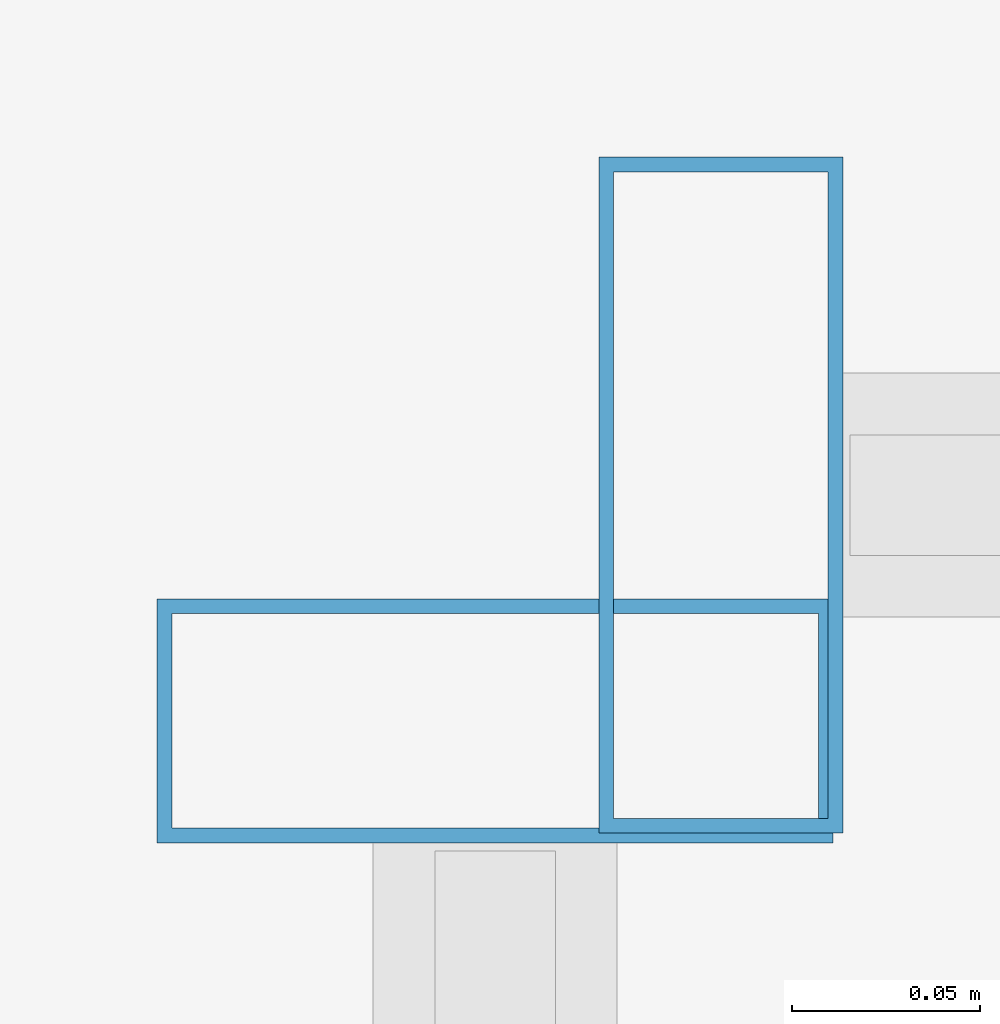
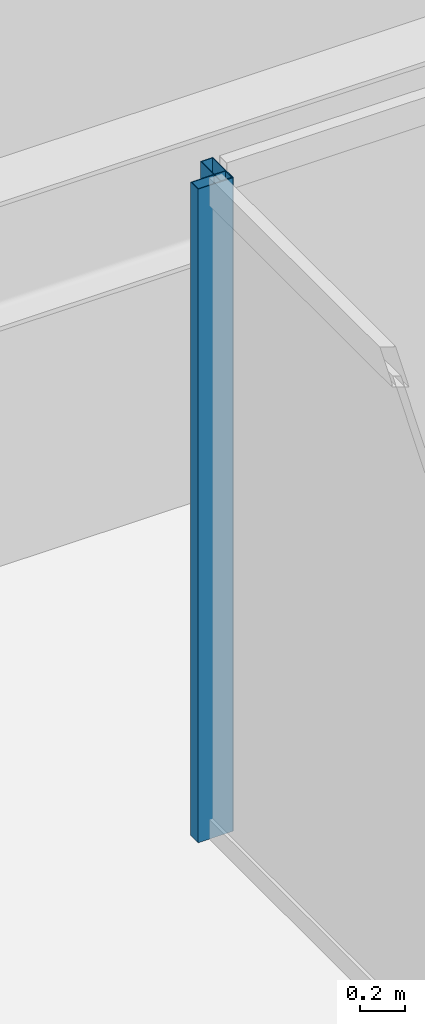
# One storey, part 13 of 36: 2 members, 2 elements without a shape of their own.
"""IFC4 building model written with IfcOpenShell, lengths in metres."""

from ifc_helpers import new_model, si_unit, direction, frame, origin, origin_2d, place, context, subcontext, project, spatial, hollow_rectangle, extrude, material, material_profile, profile_set, type_object, element, aggregate, save


model = new_model("IFC4")

# Units and contexts
model_context = context("Model", 3, precision=1e-05, world=origin(), true_north=direction((0.0, 1.0)))
body_context = subcontext(model_context, "Body", "Model", "MODEL_VIEW")
ifc_project = project(units=[si_unit("LENGTHUNIT", "METRE"), si_unit("AREAUNIT", "SQUARE_METRE"), si_unit("VOLUMEUNIT", "CUBIC_METRE"), si_unit("PLANEANGLEUNIT", "RADIAN"), si_unit("MASSUNIT", "GRAM", prefix="KILO")], contexts=[model_context])

# Site, building, storey
site_placement = place(None, origin())
site = spatial("IfcSite", under=ifc_project, at=site_placement, CompositionType="ELEMENT")
building_placement = place(site_placement, origin())
building = spatial("IfcBuilding", under=site, at=building_placement, Name="Saevonmaru Cultural Tower", CompositionType="ELEMENT")
storey_placement = place(building_placement, frame((0.0, 0.0, 186.60009765625)))
storey = spatial("IfcBuildingStorey", under=building, at=storey_placement, Name="L42", CompositionType="ELEMENT", Elevation=186.60009765625)

# Curtain wall, member
ifc_material = material(Name="Satin Bronze Anodised Aluminium", Category="aluminium")
curtain_wall_type = type_object("IfcCurtainWallType", Name="CW-ATR-GLZ", PredefinedType="NOTDEFINED", material=ifc_material)
curtain_wall_1_placement = place(storey_placement, origin())
curtain_wall_1 = element("IfcCurtainWall", 1, at=curtain_wall_1_placement, inside=storey, type_object=curtain_wall_type, Name="L42 Vertical Atrium Glazed Smoke Screen 3", PredefinedType="NOTDEFINED")
ifc_material_profile = material_profile(ifc_material, hollow_rectangle(XDim=0.06494140625, YDim=0.179931640625, WallThickness=0.00390625, at=origin_2d()), Name="ALU-MULL-180x65x4")
ifc_profile_set = profile_set([ifc_material_profile], Name="Satin Bronze Anodised Aluminium")
member_type = type_object("IfcMemberType", Name="ML-CW-INT-180x65", PredefinedType="MULLION", material=ifc_profile_set)
member_1_placement = place(storey_placement, frame((24.110107421875, 36.8701171875, 0.0), z_axis=(0.0, 0.0, 1.0), x_axis=(-1.0, 0.0, 0.0)))
member_1 = element("IfcMember", 2, at=member_1_placement, type_object=member_type, Name="CW-ATR-L42-3 mullion 2", PredefinedType="MULLION", context=body_context, shape_type="SweptSolid", body=[
    extrude(hollow_rectangle(XDim=0.06494140625, YDim=0.179931640625, WallThickness=0.00390625, at=origin_2d()), origin(), (0.0, 0.0, 1.0), 3.5498046875),
])
aggregate(curtain_wall_1, [member_1])

curtain_wall_2_placement = place(storey_placement, origin())
curtain_wall_2 = element("IfcCurtainWall", 3, at=curtain_wall_2_placement, inside=storey, type_object=curtain_wall_type, Name="L42 Vertical Atrium Glazed Smoke Screen 4", PredefinedType="NOTDEFINED")
member_2_placement = place(storey_placement, frame((24.050048828125, 36.81005859375, 0.0), z_axis=(0.0, 0.0, 1.0), x_axis=(0.0, -1.0, 0.0)))
member_2 = element("IfcMember", 4, at=member_2_placement, type_object=member_type, Name="CW-ATR-L42-4 mullion 1", PredefinedType="MULLION", context=body_context, shape_type="SweptSolid", body=[
    extrude(hollow_rectangle(XDim=0.06494140625, YDim=0.179931640625, WallThickness=0.00390625, at=origin_2d()), origin(), (0.0, 0.0, 1.0), 3.5498046875),
])
aggregate(curtain_wall_2, [member_2])

save(model, "model.ifc")
